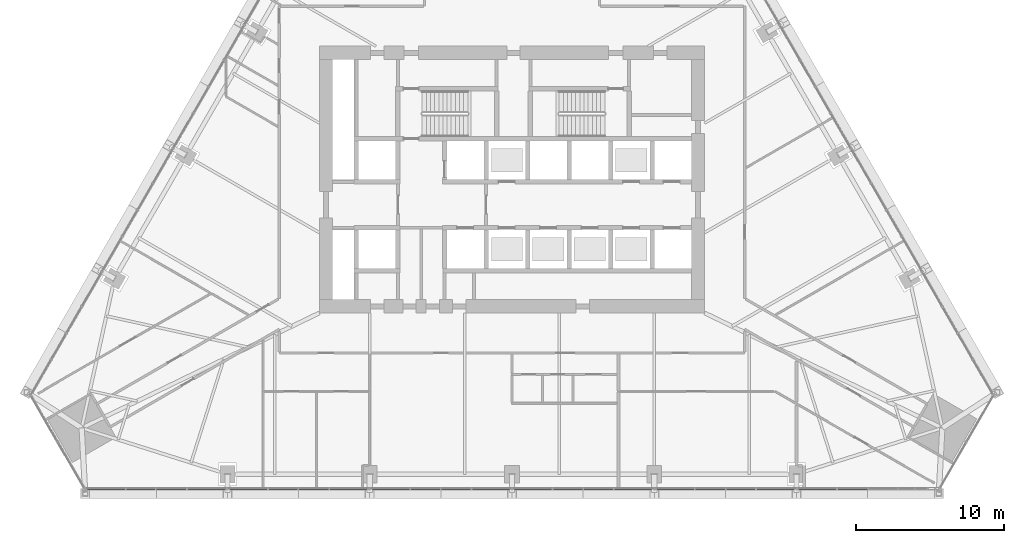
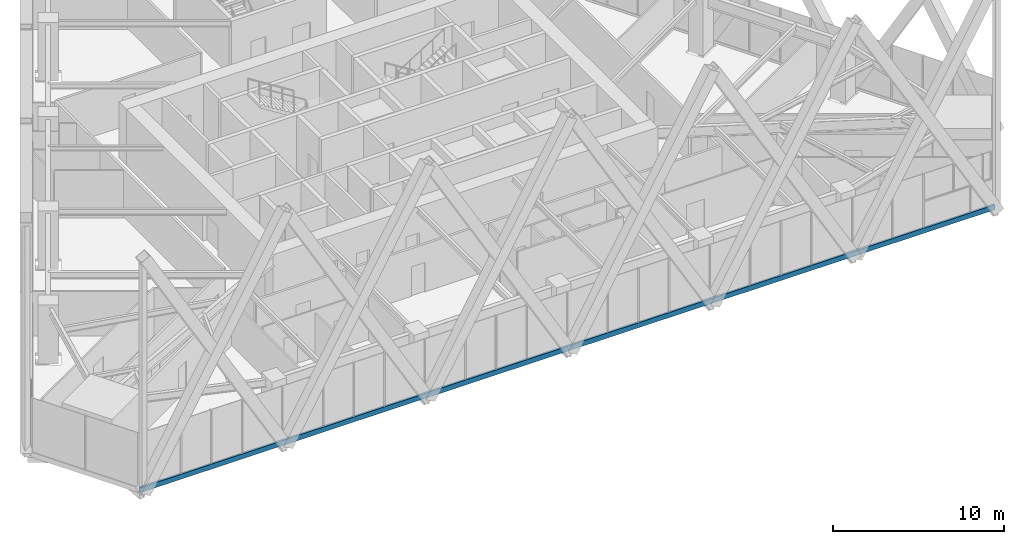
# One storey, part 6 of 26: 1 member, 1 element without a shape of its own.
"""IFC4 building model written with IfcOpenShell, lengths in metres."""

from ifc_helpers import new_model, si_unit, direction, frame, origin, origin_2d, place, context, subcontext, project, spatial, rectangle, extrude, material, layer, layer_set, material_profile, profile_set, type_object, element, aggregate, save


model = new_model("IFC4")

# Units and contexts
model_context = context("Model", 3, precision=1e-05, world=origin(), true_north=direction((0.0, 1.0)))
body_context = subcontext(model_context, "Body", "Model", "MODEL_VIEW")
ifc_project = project(units=[si_unit("LENGTHUNIT", "METRE"), si_unit("AREAUNIT", "SQUARE_METRE"), si_unit("VOLUMEUNIT", "CUBIC_METRE"), si_unit("PLANEANGLEUNIT", "RADIAN"), si_unit("MASSUNIT", "GRAM", prefix="KILO")], contexts=[model_context])

# Site, building, storey
site_placement = place(None, origin())
site = spatial("IfcSite", under=ifc_project, at=site_placement, CompositionType="ELEMENT")
building_placement = place(site_placement, origin())
building = spatial("IfcBuilding", under=site, at=building_placement, Name="Firuza Gate Tower and Library", CompositionType="ELEMENT")
storey_placement = place(building_placement, frame((0.0, 0.0, 40.0)))
storey = spatial("IfcBuildingStorey", under=building, at=storey_placement, Name="L08", CompositionType="ELEMENT", Elevation=40.0)

# Curtain wall, member
ifc_material_1 = material(Name="Aluminium 6063-T6", Category="aluminium")
ifc_layer = layer(ifc_material_1, 0.14990234375)
ifc_layer_set = layer_set([ifc_layer], Name="Unitised curtain wall, offices")
curtain_wall_type = type_object("IfcCurtainWallType", Name="Unitised curtain wall, offices", PredefinedType="NOTDEFINED", material=ifc_layer_set)
curtain_wall_placement = place(storey_placement, origin())
curtain_wall = element("IfcCurtainWall", 1, at=curtain_wall_placement, inside=storey, type_object=curtain_wall_type, Name="CW1 L08 S face", PredefinedType="NOTDEFINED")
ifc_material_2 = material(Name="Aluminium 6063-T6", Category="aluminium")
ifc_material_profile = material_profile(ifc_material_2, rectangle(XDim=0.14990234375, YDim=0.35009765625, at=origin_2d()))
ifc_profile_set = profile_set([ifc_material_profile], Name="Aluminium 6063-T6")
member_type = type_object("IfcMemberType", Name="Curtain wall transom 350x150", PredefinedType="USERDEFINED", material=ifc_profile_set)
member_placement = place(storey_placement, frame((46.15673828125, 54.140380859375, -0.02490234375), z_axis=(1.0, 0.0, 0.0), x_axis=(0.0, 1.0, 0.0)))
member = element("IfcMember", 2, at=member_placement, type_object=member_type, Name="Transom", ObjectType="TRANSOM", PredefinedType="USERDEFINED", context=body_context, shape_type="SweptSolid", body=[
    extrude(rectangle(XDim=0.14990234375, YDim=0.35009765625, at=origin_2d()), origin(), (0.0, 0.0, 1.0), 57.6865234375),
])
aggregate(curtain_wall, [member])

save(model, "model.ifc")
